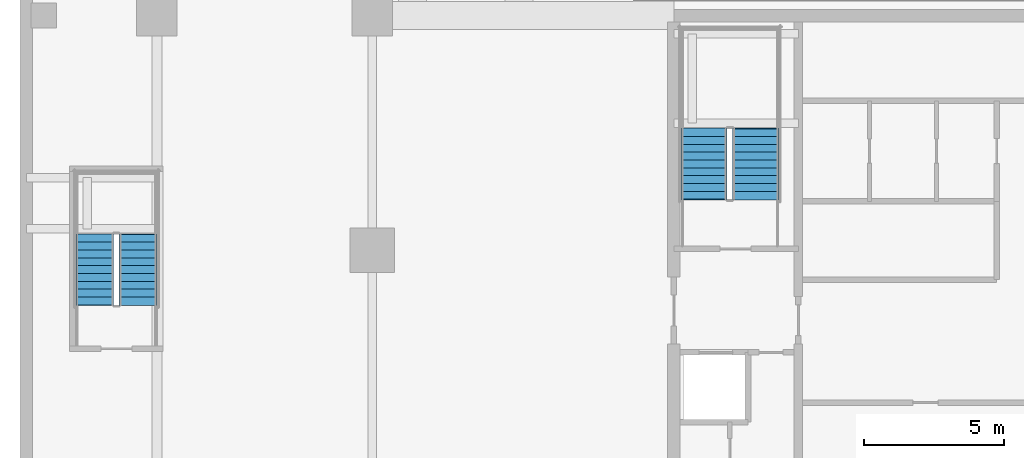
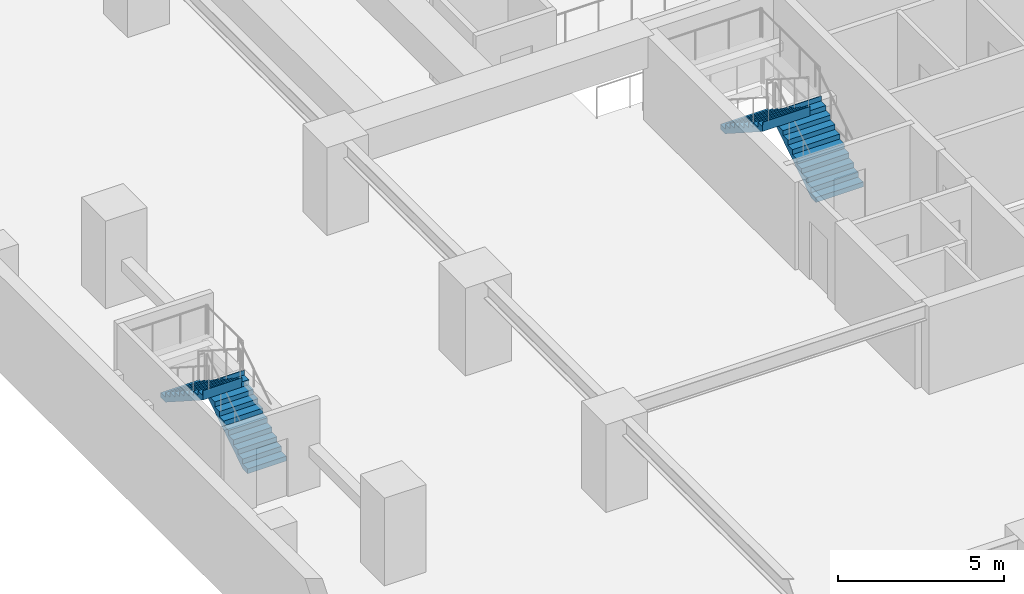
# One storey, part 6 of 10: 4 stair flights, 2 elements without a shape of their own.
"""IFC4 building model written with IfcOpenShell, lengths in metres."""

import ifcopenshell
import ifcopenshell.guid

model = None  # the IFC model being written
_history = None  # IfcOwnerHistory: only IFC2X3 demands one
_inside = {}  # id of a spatial element -> (the spatial element, [elements in it])
_under = {}  # id of a project, library or spatial element -> (it, [spatial elements below it])
_declared = {}  # id of a project -> (the project, [libraries it declares])
_typed = {}  # id of a type object -> (the type object, [elements of that type])
_made_of = {}  # id of a material, layer set ... -> (it, [elements and type objects made of it])


def new_model(schema):
    """Start an empty IFC model of exactly this schema.

    Asked for "IFC4X3", IfcOpenShell would pick the latest addendum, in which some entities
    have other attributes; the version numbers below select the first issue.
    IFC2X3 requires an IfcOwnerHistory on every rooted entity: one is made here for all.
    """
    global model, _history
    if schema == "IFC4X3":
        model = ifcopenshell.file(schema_version=(4, 3, 0, 0))
    else:
        model = ifcopenshell.file(schema=schema)
    _inside.clear()
    _under.clear()
    _declared.clear()
    _typed.clear()
    _made_of.clear()
    _history = None
    if model.schema == "IFC2X3":
        org = make("IfcOrganization", Name="unknown")
        user = make(
            "IfcPersonAndOrganization",
            ThePerson=make("IfcPerson", FamilyName="unknown"),
            TheOrganization=org,
        )
        app = make(
            "IfcApplication",
            ApplicationDeveloper=org,
            Version="unknown",
            ApplicationFullName="unknown",
            ApplicationIdentifier="unknown",
        )
        _history = make(
            "IfcOwnerHistory",
            OwningUser=user,
            OwningApplication=app,
            ChangeAction="ADDED",
            CreationDate=0,
        )
    return model


def make(cls, **values):
    """One entity of the class cls with the attributes given. An attribute that is None is left unset."""
    return model.create_entity(
        cls, **{name: value for name, value in values.items() if value is not None}
    )


def rooted(cls, **values):
    """An entity with a GlobalId (a new one), such as an element, a storey or a relation."""
    return make(cls, GlobalId=ifcopenshell.guid.new(), OwnerHistory=_history, **values)


def si_unit(unit_type, name, prefix=None):
    """IfcSIUnit, for example si_unit("LENGTHUNIT", "METRE", prefix="MILLI")."""
    return make("IfcSIUnit", UnitType=unit_type, Prefix=prefix, Name=name)


def assignment(units):
    """IfcUnitAssignment: the units of a project."""
    return None if units is None else make("IfcUnitAssignment", Units=units)


def point(xyz):
    """IfcCartesianPoint."""
    return None if xyz is None else make("IfcCartesianPoint", Coordinates=xyz)


def direction(xyz):
    """IfcDirection."""
    return None if xyz is None else make("IfcDirection", DirectionRatios=xyz)


def frame(location, z_axis=None, x_axis=None):
    """IfcAxis2Placement3D, a coordinate frame: its origin and axes. An axis left out is left unset."""
    return make(
        "IfcAxis2Placement3D",
        Location=point(location),
        Axis=direction(z_axis),
        RefDirection=direction(x_axis),
    )


def origin():
    """The frame at (0, 0, 0) with its axes left unset."""
    return frame((0.0, 0.0, 0.0))


def place(relative_to, where):
    """IfcLocalPlacement: puts the frame where relative to a parent placement (None: the world)."""
    return make(
        "IfcLocalPlacement", PlacementRelTo=relative_to, RelativePlacement=where
    )


def context(
    kind, dimensions, precision=None, world=None, true_north=None, identifier=None
):
    """IfcGeometricRepresentationContext, for example the 3D "Model" context."""
    return make(
        "IfcGeometricRepresentationContext",
        ContextIdentifier=identifier,
        ContextType=kind,
        CoordinateSpaceDimension=dimensions,
        Precision=precision,
        WorldCoordinateSystem=world,
        TrueNorth=true_north,
    )


def subcontext(parent, identifier, kind, view, scale=None):
    """IfcGeometricRepresentationSubContext, for example "Body" below "Model"."""
    return make(
        "IfcGeometricRepresentationSubContext",
        ContextIdentifier=identifier,
        ContextType=kind,
        ParentContext=parent,
        TargetScale=scale,
        TargetView=view,
    )


def project(units=None, contexts=None):
    """IfcProject with its units and contexts."""
    return rooted(
        "IfcProject",
        Name="project",
        RepresentationContexts=contexts,
        UnitsInContext=assignment(units),
    )


def spatial(cls, under=None, at=None, **own):
    """A site, building, storey or space (cls), placed at a placement, below another one or the project."""
    s = rooted(cls, ObjectPlacement=at, **own)
    if under is not None:
        _under.setdefault(under.id(), (under, []))[1].append(s)
    return s


def point_list(points):
    """IfcCartesianPointList2D or 3D."""
    cls = (
        "IfcCartesianPointList2D" if len(points[0]) == 2 else "IfcCartesianPointList3D"
    )
    return make(cls, CoordList=points)


def polygons(points, faces, closed=None, point_numbers=None):
    """IfcPolygonalFaceSet: a face is its outer loop, then its inner loops; points numbered from 1."""
    made = []
    for loops in faces:
        if len(loops) == 1:
            made.append(make("IfcIndexedPolygonalFace", CoordIndex=loops[0]))
        else:
            made.append(
                make(
                    "IfcIndexedPolygonalFaceWithVoids",
                    CoordIndex=loops[0],
                    InnerCoordIndices=loops[1:],
                )
            )
    return make(
        "IfcPolygonalFaceSet",
        Coordinates=point_list(points),
        Closed=closed,
        Faces=made,
        PnIndex=point_numbers,
    )


def shape(context_of_items, identifier, shape_type, items):
    """IfcShapeRepresentation: the items that make up one representation, for example the "Body"."""
    return make(
        "IfcShapeRepresentation",
        ContextOfItems=context_of_items,
        RepresentationIdentifier=identifier,
        RepresentationType=shape_type,
        Items=items,
    )


def material(Name=None, Category=None):
    """IfcMaterial."""
    return make("IfcMaterial", Name=Name, Category=Category)


def made_of(thing, what):
    """Note that an element or type object is made of a material, layer set ...; save() writes the relation."""
    if what is not None:
        _made_of.setdefault(what.id(), (what, []))[1].append(thing)
    return thing


def type_object(cls, material=None, **own):
    """A type object (cls), such as IfcWallType, which elements share."""
    return made_of(rooted(cls, **own), material)


def element(
    cls,
    number,
    at=None,
    inside=None,
    cuts=None,
    type_object=None,
    material=None,
    context=None,
    identifier="Body",
    shape_type=None,
    held_by="IfcProductDefinitionShape",
    body=None,
    shapes=None,
    **own,
):
    """One element of the class cls, such as IfcWall. Its Tag is "e" and its number.

    at: its placement. inside: the storey or other place that contains it. cuts: it is an
    opening in that element (IfcRelVoidsElement). A single representation is given by context,
    identifier, shape_type and body (its items); several are given by shapes. held_by: the class
    of the entity that holds the representations. save() writes the other relations.
    """
    e = rooted(cls, Tag="e%d" % number, ObjectPlacement=at, **own)
    if body is not None:
        shapes = [shape(context, identifier, shape_type, body)]
    if shapes is not None:
        e.Representation = make(held_by, Representations=shapes)
    if inside is not None:
        _inside.setdefault(inside.id(), (inside, []))[1].append(e)
    if cuts is not None:
        rooted(
            "IfcRelVoidsElement", RelatingBuildingElement=cuts, RelatedOpeningElement=e
        )
    if type_object is not None:
        _typed.setdefault(type_object.id(), (type_object, []))[1].append(e)
    return made_of(e, material)


def aggregate(whole, parts):
    """IfcRelAggregates: a whole, such as a stair, and the parts it consists of."""
    return rooted("IfcRelAggregates", RelatingObject=whole, RelatedObjects=parts)


def save(model, path):
    """Write the relations noted so far, then the file.

    IfcRelAggregates (storeys below a building ...), IfcRelContainedInSpatialStructure (elements
    in a storey), IfcRelDefinesByType, IfcRelAssociatesMaterial and IfcRelDeclares: one each for
    every whole, place, type object, material and project.
    """
    for whole, parts in _under.values():
        aggregate(whole, parts)
    for where, things in _inside.values():
        rooted(
            "IfcRelContainedInSpatialStructure",
            RelatedElements=things,
            RelatingStructure=where,
        )
    for kind, things in _typed.values():
        rooted("IfcRelDefinesByType", RelatedObjects=things, RelatingType=kind)
    for what, things in _made_of.values():
        rooted("IfcRelAssociatesMaterial", RelatedObjects=things, RelatingMaterial=what)
    for by, libraries in _declared.values():
        rooted("IfcRelDeclares", RelatingContext=by, RelatedDefinitions=libraries)
    model.write(path)


model = new_model("IFC4")

# Units and contexts
model_context = context("Model", 3, precision=1e-05, world=origin(), true_north=direction((0.0, 1.0)))
body_context = subcontext(model_context, "Body", "Model", "MODEL_VIEW")
ifc_project = project(units=[si_unit("LENGTHUNIT", "METRE"), si_unit("AREAUNIT", "SQUARE_METRE"), si_unit("VOLUMEUNIT", "CUBIC_METRE"), si_unit("PLANEANGLEUNIT", "RADIAN"), si_unit("MASSUNIT", "GRAM", prefix="KILO")], contexts=[model_context])

# Site, building, storey
site_placement = place(None, origin())
site = spatial("IfcSite", under=ifc_project, at=site_placement, CompositionType="ELEMENT")
building_placement = place(site_placement, origin())
building = spatial("IfcBuilding", under=site, at=building_placement, Name="Serunith Strait Residences", CompositionType="ELEMENT")
storey_placement = place(building_placement, frame((0.0, 0.0, -3.60009765625)))
storey = spatial("IfcBuildingStorey", under=building, at=storey_placement, Name="B01", CompositionType="ELEMENT", Elevation=-3.60009765625)

# Stair, stair flights
ifc_material = material(Name="Concrete C50/60", Category="concrete")
stair_type_1 = type_object("IfcStairType", Name="STR-BSMT-5", PredefinedType="HALF_TURN_STAIR", material=ifc_material)
stair_1_placement = place(storey_placement, origin())
stair_1 = element("IfcStair", 1, at=stair_1_placement, inside=storey, type_object=stair_type_1, Name="B01 Basement Escape Stair ST-5", PredefinedType="HALF_TURN_STAIR")
stair_flight_type_1 = type_object("IfcStairFlightType", Name="FLT-BSMT-5", PredefinedType="STRAIGHT", material=ifc_material)
stair_flight_1_placement = place(storey_placement, frame((4.22509765625, 23.25, 0.0), z_axis=(0.0, 0.0, 1.0), x_axis=(0.0, 1.0, 0.0)))
stair_flight_1 = element("IfcStairFlight", 2, at=stair_flight_1_placement, type_object=stair_flight_type_1, Name="ST-5 flight 1", NumberOfRisers=10, NumberOfTreads=9, PredefinedType="STRAIGHT", RiserHeight=0.18, TreadLength=0.28, context=body_context, shape_type="Tessellation", body=[
    polygons([(-0.02001953125, -0.675048828125, 0.0), (-0.02001953125, -0.675048828125, 0.179931640625), (0.280029296875, -0.675048828125, 0.179931640625), (0.280029296875, -0.675048828125, 0.360107421875), (0.56005859375, -0.675048828125, 0.360107421875), (0.56005859375, -0.675048828125, 0.5400390625), (0.840087890625, -0.675048828125, 0.5400390625), (0.840087890625, -0.675048828125, 0.719970703125), (1.1201171875, -0.675048828125, 0.719970703125), (1.1201171875, -0.675048828125, 0.89990234375), (1.39990234375, -0.675048828125, 0.89990234375), (1.39990234375, -0.675048828125, 1.080078125), (1.679931640625, -0.675048828125, 1.080078125), (1.679931640625, -0.675048828125, 1.260009765625), (1.9599609375, -0.675048828125, 1.260009765625), (1.9599609375, -0.675048828125, 1.43994140625), (2.239990234375, -0.675048828125, 1.43994140625), (2.239990234375, -0.675048828125, 1.6201171875), (2.52001953125, -0.675048828125, 1.6201171875), (2.52001953125, -0.675048828125, 1.800048828125), (2.5400390625, -0.675048828125, 1.800048828125), (2.5400390625, -0.675048828125, 1.739990234375), (2.52001953125, -0.675048828125, 1.44189453125), (0.277099609375, -0.675048828125, 0.0), (-0.02001953125, -0.33740234375, 0.0), (-0.02001953125, -0.33740234375, 0.179931640625), (0.280029296875, -0.33740234375, 0.179931640625), (0.280029296875, -0.33740234375, 0.360107421875), (0.56005859375, -0.33740234375, 0.360107421875), (0.56005859375, -0.33740234375, 0.5400390625), (0.840087890625, -0.33740234375, 0.5400390625), (0.840087890625, -0.33740234375, 0.719970703125), (1.1201171875, -0.33740234375, 0.719970703125), (1.1201171875, -0.33740234375, 0.89990234375), (1.39990234375, -0.33740234375, 0.89990234375), (1.39990234375, -0.33740234375, 1.080078125), (1.679931640625, -0.33740234375, 1.080078125), (1.679931640625, -0.33740234375, 1.260009765625), (1.9599609375, -0.33740234375, 1.260009765625), (1.9599609375, -0.33740234375, 1.43994140625), (2.239990234375, -0.33740234375, 1.43994140625), (2.239990234375, -0.33740234375, 1.6201171875), (2.52001953125, -0.33740234375, 1.6201171875), (2.52001953125, -0.33740234375, 1.800048828125), (2.5400390625, -0.33740234375, 1.800048828125), (2.5400390625, -0.33740234375, 1.739990234375), (2.52001953125, -0.33740234375, 1.44189453125), (0.277099609375, -0.33740234375, 0.0), (-0.02001953125, 0.0, 0.0), (-0.02001953125, 0.0, 0.179931640625), (0.280029296875, 0.0, 0.179931640625), (0.280029296875, 0.0, 0.360107421875), (0.56005859375, 0.0, 0.360107421875), (0.56005859375, 0.0, 0.5400390625), (0.840087890625, 0.0, 0.5400390625), (0.840087890625, 0.0, 0.719970703125), (1.1201171875, 0.0, 0.719970703125), (1.1201171875, 0.0, 0.89990234375), (1.39990234375, 0.0, 0.89990234375), (1.39990234375, 0.0, 1.080078125), (1.679931640625, 0.0, 1.080078125), (1.679931640625, 0.0, 1.260009765625), (1.9599609375, 0.0, 1.260009765625), (1.9599609375, 0.0, 1.43994140625), (2.239990234375, 0.0, 1.43994140625), (2.239990234375, 0.0, 1.6201171875), (2.52001953125, 0.0, 1.6201171875), (2.52001953125, 0.0, 1.800048828125), (2.5400390625, 0.0, 1.800048828125), (2.5400390625, 0.0, 1.739990234375), (2.52001953125, 0.0, 1.44189453125), (0.277099609375, 0.0, 0.0), (-0.02001953125, 0.33740234375, 0.0), (-0.02001953125, 0.33740234375, 0.179931640625), (0.280029296875, 0.33740234375, 0.179931640625), (0.280029296875, 0.33740234375, 0.360107421875), (0.56005859375, 0.33740234375, 0.360107421875), (0.56005859375, 0.33740234375, 0.5400390625), (0.840087890625, 0.33740234375, 0.5400390625), (0.840087890625, 0.33740234375, 0.719970703125), (1.1201171875, 0.33740234375, 0.719970703125), (1.1201171875, 0.33740234375, 0.89990234375), (1.39990234375, 0.33740234375, 0.89990234375), (1.39990234375, 0.33740234375, 1.080078125), (1.679931640625, 0.33740234375, 1.080078125), (1.679931640625, 0.33740234375, 1.260009765625), (1.9599609375, 0.33740234375, 1.260009765625), (1.9599609375, 0.33740234375, 1.43994140625), (2.239990234375, 0.33740234375, 1.43994140625), (2.239990234375, 0.33740234375, 1.6201171875), (2.52001953125, 0.33740234375, 1.6201171875), (2.52001953125, 0.33740234375, 1.800048828125), (2.5400390625, 0.33740234375, 1.800048828125), (2.5400390625, 0.33740234375, 1.739990234375), (2.52001953125, 0.33740234375, 1.44189453125), (0.277099609375, 0.33740234375, 0.0), (-0.02001953125, 0.675048828125, 0.0), (-0.02001953125, 0.675048828125, 0.179931640625), (0.280029296875, 0.675048828125, 0.179931640625), (0.280029296875, 0.675048828125, 0.360107421875), (0.56005859375, 0.675048828125, 0.360107421875), (0.56005859375, 0.675048828125, 0.5400390625), (0.840087890625, 0.675048828125, 0.5400390625), (0.840087890625, 0.675048828125, 0.719970703125), (1.1201171875, 0.675048828125, 0.719970703125), (1.1201171875, 0.675048828125, 0.89990234375), (1.39990234375, 0.675048828125, 0.89990234375), (1.39990234375, 0.675048828125, 1.080078125), (1.679931640625, 0.675048828125, 1.080078125), (1.679931640625, 0.675048828125, 1.260009765625), (1.9599609375, 0.675048828125, 1.260009765625), (1.9599609375, 0.675048828125, 1.43994140625), (2.239990234375, 0.675048828125, 1.43994140625), (2.239990234375, 0.675048828125, 1.6201171875), (2.52001953125, 0.675048828125, 1.6201171875), (2.52001953125, 0.675048828125, 1.800048828125), (2.5400390625, 0.675048828125, 1.800048828125), (2.5400390625, 0.675048828125, 1.739990234375), (2.52001953125, 0.675048828125, 1.44189453125), (0.277099609375, 0.675048828125, 0.0)], [[[1, 2, 26, 25]], [[2, 3, 27, 26]], [[3, 4, 28, 27]], [[4, 5, 29, 28]], [[5, 6, 30, 29]], [[6, 7, 31, 30]], [[7, 8, 32, 31]], [[8, 9, 33, 32]], [[9, 10, 34, 33]], [[10, 11, 35, 34]], [[11, 12, 36, 35]], [[12, 13, 37, 36]], [[13, 14, 38, 37]], [[14, 15, 39, 38]], [[15, 16, 40, 39]], [[16, 17, 41, 40]], [[17, 18, 42, 41]], [[18, 19, 43, 42]], [[19, 20, 44, 43]], [[20, 21, 45, 44]], [[21, 22, 46, 45]], [[22, 23, 47, 46]], [[23, 24, 48, 47]], [[24, 1, 25, 48]], [[25, 26, 50, 49]], [[26, 27, 51, 50]], [[27, 28, 52, 51]], [[28, 29, 53, 52]], [[29, 30, 54, 53]], [[30, 31, 55, 54]], [[31, 32, 56, 55]], [[32, 33, 57, 56]], [[33, 34, 58, 57]], [[34, 35, 59, 58]], [[35, 36, 60, 59]], [[36, 37, 61, 60]], [[37, 38, 62, 61]], [[38, 39, 63, 62]], [[39, 40, 64, 63]], [[40, 41, 65, 64]], [[41, 42, 66, 65]], [[42, 43, 67, 66]], [[43, 44, 68, 67]], [[44, 45, 69, 68]], [[45, 46, 70, 69]], [[46, 47, 71, 70]], [[47, 48, 72, 71]], [[48, 25, 49, 72]], [[49, 50, 74, 73]], [[50, 51, 75, 74]], [[51, 52, 76, 75]], [[52, 53, 77, 76]], [[53, 54, 78, 77]], [[54, 55, 79, 78]], [[55, 56, 80, 79]], [[56, 57, 81, 80]], [[57, 58, 82, 81]], [[58, 59, 83, 82]], [[59, 60, 84, 83]], [[60, 61, 85, 84]], [[61, 62, 86, 85]], [[62, 63, 87, 86]], [[63, 64, 88, 87]], [[64, 65, 89, 88]], [[65, 66, 90, 89]], [[66, 67, 91, 90]], [[67, 68, 92, 91]], [[68, 69, 93, 92]], [[69, 70, 94, 93]], [[70, 71, 95, 94]], [[71, 72, 96, 95]], [[72, 49, 73, 96]], [[73, 74, 98, 97]], [[74, 75, 99, 98]], [[75, 76, 100, 99]], [[76, 77, 101, 100]], [[77, 78, 102, 101]], [[78, 79, 103, 102]], [[79, 80, 104, 103]], [[80, 81, 105, 104]], [[81, 82, 106, 105]], [[82, 83, 107, 106]], [[83, 84, 108, 107]], [[84, 85, 109, 108]], [[85, 86, 110, 109]], [[86, 87, 111, 110]], [[87, 88, 112, 111]], [[88, 89, 113, 112]], [[89, 90, 114, 113]], [[90, 91, 115, 114]], [[91, 92, 116, 115]], [[92, 93, 117, 116]], [[93, 94, 118, 117]], [[94, 95, 119, 118]], [[95, 96, 120, 119]], [[96, 73, 97, 120]], [[24, 23, 22, 21, 20, 19, 18, 17, 16, 15, 14, 13, 12, 11, 10, 9, 8, 7, 6, 5, 4, 3, 2, 1]], [[97, 98, 99, 100, 101, 102, 103, 104, 105, 106, 107, 108, 109, 110, 111, 112, 113, 114, 115, 116, 117, 118, 119, 120]]], closed=True),
])
stair_flight_2_placement = place(storey_placement, frame((2.675048828125, 25.77001953125, 1.800048828125), z_axis=(0.0, 0.0, 1.0), x_axis=(0.0, -1.0, 0.0)))
stair_flight_2 = element("IfcStairFlight", 3, at=stair_flight_2_placement, type_object=stair_flight_type_1, Name="ST-5 flight 2", NumberOfRisers=10, NumberOfTreads=9, PredefinedType="STRAIGHT", RiserHeight=0.18, TreadLength=0.28, context=body_context, shape_type="Tessellation", body=[
    polygons([(-0.02001953125, -0.675048828125, 0.0), (-0.02001953125, -0.675048828125, 0.179931640625), (0.280029296875, -0.675048828125, 0.179931640625), (0.280029296875, -0.675048828125, 0.360107421875), (0.56005859375, -0.675048828125, 0.360107421875), (0.56005859375, -0.675048828125, 0.5400390625), (0.840087890625, -0.675048828125, 0.5400390625), (0.840087890625, -0.675048828125, 0.719970703125), (1.1201171875, -0.675048828125, 0.719970703125), (1.1201171875, -0.675048828125, 0.89990234375), (1.39990234375, -0.675048828125, 0.89990234375), (1.39990234375, -0.675048828125, 1.080078125), (1.679931640625, -0.675048828125, 1.080078125), (1.679931640625, -0.675048828125, 1.260009765625), (1.9599609375, -0.675048828125, 1.260009765625), (1.9599609375, -0.675048828125, 1.43994140625), (2.239990234375, -0.675048828125, 1.43994140625), (2.239990234375, -0.675048828125, 1.6201171875), (2.52001953125, -0.675048828125, 1.6201171875), (2.52001953125, -0.675048828125, 1.800048828125), (2.5400390625, -0.675048828125, 1.800048828125), (2.5400390625, -0.675048828125, 1.739990234375), (2.52001953125, -0.675048828125, 1.44189453125), (0.277099609375, -0.675048828125, 0.0), (-0.02001953125, -0.33740234375, 0.0), (-0.02001953125, -0.33740234375, 0.179931640625), (0.280029296875, -0.33740234375, 0.179931640625), (0.280029296875, -0.33740234375, 0.360107421875), (0.56005859375, -0.33740234375, 0.360107421875), (0.56005859375, -0.33740234375, 0.5400390625), (0.840087890625, -0.33740234375, 0.5400390625), (0.840087890625, -0.33740234375, 0.719970703125), (1.1201171875, -0.33740234375, 0.719970703125), (1.1201171875, -0.33740234375, 0.89990234375), (1.39990234375, -0.33740234375, 0.89990234375), (1.39990234375, -0.33740234375, 1.080078125), (1.679931640625, -0.33740234375, 1.080078125), (1.679931640625, -0.33740234375, 1.260009765625), (1.9599609375, -0.33740234375, 1.260009765625), (1.9599609375, -0.33740234375, 1.43994140625), (2.239990234375, -0.33740234375, 1.43994140625), (2.239990234375, -0.33740234375, 1.6201171875), (2.52001953125, -0.33740234375, 1.6201171875), (2.52001953125, -0.33740234375, 1.800048828125), (2.5400390625, -0.33740234375, 1.800048828125), (2.5400390625, -0.33740234375, 1.739990234375), (2.52001953125, -0.33740234375, 1.44189453125), (0.277099609375, -0.33740234375, 0.0), (-0.02001953125, 0.0, 0.0), (-0.02001953125, 0.0, 0.179931640625), (0.280029296875, 0.0, 0.179931640625), (0.280029296875, 0.0, 0.360107421875), (0.56005859375, 0.0, 0.360107421875), (0.56005859375, 0.0, 0.5400390625), (0.840087890625, 0.0, 0.5400390625), (0.840087890625, 0.0, 0.719970703125), (1.1201171875, 0.0, 0.719970703125), (1.1201171875, 0.0, 0.89990234375), (1.39990234375, 0.0, 0.89990234375), (1.39990234375, 0.0, 1.080078125), (1.679931640625, 0.0, 1.080078125), (1.679931640625, 0.0, 1.260009765625), (1.9599609375, 0.0, 1.260009765625), (1.9599609375, 0.0, 1.43994140625), (2.239990234375, 0.0, 1.43994140625), (2.239990234375, 0.0, 1.6201171875), (2.52001953125, 0.0, 1.6201171875), (2.52001953125, 0.0, 1.800048828125), (2.5400390625, 0.0, 1.800048828125), (2.5400390625, 0.0, 1.739990234375), (2.52001953125, 0.0, 1.44189453125), (0.277099609375, 0.0, 0.0), (-0.02001953125, 0.33740234375, 0.0), (-0.02001953125, 0.33740234375, 0.179931640625), (0.280029296875, 0.33740234375, 0.179931640625), (0.280029296875, 0.33740234375, 0.360107421875), (0.56005859375, 0.33740234375, 0.360107421875), (0.56005859375, 0.33740234375, 0.5400390625), (0.840087890625, 0.33740234375, 0.5400390625), (0.840087890625, 0.33740234375, 0.719970703125), (1.1201171875, 0.33740234375, 0.719970703125), (1.1201171875, 0.33740234375, 0.89990234375), (1.39990234375, 0.33740234375, 0.89990234375), (1.39990234375, 0.33740234375, 1.080078125), (1.679931640625, 0.33740234375, 1.080078125), (1.679931640625, 0.33740234375, 1.260009765625), (1.9599609375, 0.33740234375, 1.260009765625), (1.9599609375, 0.33740234375, 1.43994140625), (2.239990234375, 0.33740234375, 1.43994140625), (2.239990234375, 0.33740234375, 1.6201171875), (2.52001953125, 0.33740234375, 1.6201171875), (2.52001953125, 0.33740234375, 1.800048828125), (2.5400390625, 0.33740234375, 1.800048828125), (2.5400390625, 0.33740234375, 1.739990234375), (2.52001953125, 0.33740234375, 1.44189453125), (0.277099609375, 0.33740234375, 0.0), (-0.02001953125, 0.675048828125, 0.0), (-0.02001953125, 0.675048828125, 0.179931640625), (0.280029296875, 0.675048828125, 0.179931640625), (0.280029296875, 0.675048828125, 0.360107421875), (0.56005859375, 0.675048828125, 0.360107421875), (0.56005859375, 0.675048828125, 0.5400390625), (0.840087890625, 0.675048828125, 0.5400390625), (0.840087890625, 0.675048828125, 0.719970703125), (1.1201171875, 0.675048828125, 0.719970703125), (1.1201171875, 0.675048828125, 0.89990234375), (1.39990234375, 0.675048828125, 0.89990234375), (1.39990234375, 0.675048828125, 1.080078125), (1.679931640625, 0.675048828125, 1.080078125), (1.679931640625, 0.675048828125, 1.260009765625), (1.9599609375, 0.675048828125, 1.260009765625), (1.9599609375, 0.675048828125, 1.43994140625), (2.239990234375, 0.675048828125, 1.43994140625), (2.239990234375, 0.675048828125, 1.6201171875), (2.52001953125, 0.675048828125, 1.6201171875), (2.52001953125, 0.675048828125, 1.800048828125), (2.5400390625, 0.675048828125, 1.800048828125), (2.5400390625, 0.675048828125, 1.739990234375), (2.52001953125, 0.675048828125, 1.44189453125), (0.277099609375, 0.675048828125, 0.0)], [[[1, 2, 26, 25]], [[2, 3, 27, 26]], [[3, 4, 28, 27]], [[4, 5, 29, 28]], [[5, 6, 30, 29]], [[6, 7, 31, 30]], [[7, 8, 32, 31]], [[8, 9, 33, 32]], [[9, 10, 34, 33]], [[10, 11, 35, 34]], [[11, 12, 36, 35]], [[12, 13, 37, 36]], [[13, 14, 38, 37]], [[14, 15, 39, 38]], [[15, 16, 40, 39]], [[16, 17, 41, 40]], [[17, 18, 42, 41]], [[18, 19, 43, 42]], [[19, 20, 44, 43]], [[20, 21, 45, 44]], [[21, 22, 46, 45]], [[22, 23, 47, 46]], [[23, 24, 48, 47]], [[24, 1, 25, 48]], [[25, 26, 50, 49]], [[26, 27, 51, 50]], [[27, 28, 52, 51]], [[28, 29, 53, 52]], [[29, 30, 54, 53]], [[30, 31, 55, 54]], [[31, 32, 56, 55]], [[32, 33, 57, 56]], [[33, 34, 58, 57]], [[34, 35, 59, 58]], [[35, 36, 60, 59]], [[36, 37, 61, 60]], [[37, 38, 62, 61]], [[38, 39, 63, 62]], [[39, 40, 64, 63]], [[40, 41, 65, 64]], [[41, 42, 66, 65]], [[42, 43, 67, 66]], [[43, 44, 68, 67]], [[44, 45, 69, 68]], [[45, 46, 70, 69]], [[46, 47, 71, 70]], [[47, 48, 72, 71]], [[48, 25, 49, 72]], [[49, 50, 74, 73]], [[50, 51, 75, 74]], [[51, 52, 76, 75]], [[52, 53, 77, 76]], [[53, 54, 78, 77]], [[54, 55, 79, 78]], [[55, 56, 80, 79]], [[56, 57, 81, 80]], [[57, 58, 82, 81]], [[58, 59, 83, 82]], [[59, 60, 84, 83]], [[60, 61, 85, 84]], [[61, 62, 86, 85]], [[62, 63, 87, 86]], [[63, 64, 88, 87]], [[64, 65, 89, 88]], [[65, 66, 90, 89]], [[66, 67, 91, 90]], [[67, 68, 92, 91]], [[68, 69, 93, 92]], [[69, 70, 94, 93]], [[70, 71, 95, 94]], [[71, 72, 96, 95]], [[72, 49, 73, 96]], [[73, 74, 98, 97]], [[74, 75, 99, 98]], [[75, 76, 100, 99]], [[76, 77, 101, 100]], [[77, 78, 102, 101]], [[78, 79, 103, 102]], [[79, 80, 104, 103]], [[80, 81, 105, 104]], [[81, 82, 106, 105]], [[82, 83, 107, 106]], [[83, 84, 108, 107]], [[84, 85, 109, 108]], [[85, 86, 110, 109]], [[86, 87, 111, 110]], [[87, 88, 112, 111]], [[88, 89, 113, 112]], [[89, 90, 114, 113]], [[90, 91, 115, 114]], [[91, 92, 116, 115]], [[92, 93, 117, 116]], [[93, 94, 118, 117]], [[94, 95, 119, 118]], [[95, 96, 120, 119]], [[96, 73, 97, 120]], [[24, 23, 22, 21, 20, 19, 18, 17, 16, 15, 14, 13, 12, 11, 10, 9, 8, 7, 6, 5, 4, 3, 2, 1]], [[97, 98, 99, 100, 101, 102, 103, 104, 105, 106, 107, 108, 109, 110, 111, 112, 113, 114, 115, 116, 117, 118, 119, 120]]], closed=True),
])
aggregate(stair_1, [stair_flight_1, stair_flight_2])

stair_type_2 = type_object("IfcStairType", Name="STR-CORE-1", PredefinedType="HALF_TURN_STAIR", material=ifc_material)
stair_2_placement = place(storey_placement, origin())
stair_2 = element("IfcStair", 4, at=stair_2_placement, inside=storey, type_object=stair_type_2, Name="B01 Protected Escape Stair ST-1", PredefinedType="HALF_TURN_STAIR")
stair_flight_type_2 = type_object("IfcStairFlightType", Name="FLT-CORE-1", PredefinedType="STRAIGHT", material=ifc_material)
stair_flight_3_placement = place(storey_placement, frame((26.324951171875, 27.030029296875, 0.0), z_axis=(0.0, 0.0, 1.0), x_axis=(0.0, 1.0, 0.0)))
stair_flight_3 = element("IfcStairFlight", 5, at=stair_flight_3_placement, type_object=stair_flight_type_2, Name="ST-1 flight 1", NumberOfRisers=10, NumberOfTreads=9, PredefinedType="STRAIGHT", RiserHeight=0.18, TreadLength=0.28, context=body_context, shape_type="Tessellation", body=[
    polygons([(-0.02001953125, -0.824951171875, 0.0), (-0.02001953125, -0.824951171875, 0.179931640625), (0.280029296875, -0.824951171875, 0.179931640625), (0.280029296875, -0.824951171875, 0.360107421875), (0.56005859375, -0.824951171875, 0.360107421875), (0.56005859375, -0.824951171875, 0.5400390625), (0.840087890625, -0.824951171875, 0.5400390625), (0.840087890625, -0.824951171875, 0.719970703125), (1.1201171875, -0.824951171875, 0.719970703125), (1.1201171875, -0.824951171875, 0.89990234375), (1.39990234375, -0.824951171875, 0.89990234375), (1.39990234375, -0.824951171875, 1.080078125), (1.679931640625, -0.824951171875, 1.080078125), (1.679931640625, -0.824951171875, 1.260009765625), (1.9599609375, -0.824951171875, 1.260009765625), (1.9599609375, -0.824951171875, 1.43994140625), (2.239990234375, -0.824951171875, 1.43994140625), (2.239990234375, -0.824951171875, 1.6201171875), (2.52001953125, -0.824951171875, 1.6201171875), (2.52001953125, -0.824951171875, 1.800048828125), (2.5400390625, -0.824951171875, 1.800048828125), (2.5400390625, -0.824951171875, 1.739990234375), (2.52001953125, -0.824951171875, 1.44189453125), (0.277099609375, -0.824951171875, 0.0), (-0.02001953125, -0.41259765625, 0.0), (-0.02001953125, -0.41259765625, 0.179931640625), (0.280029296875, -0.41259765625, 0.179931640625), (0.280029296875, -0.41259765625, 0.360107421875), (0.56005859375, -0.41259765625, 0.360107421875), (0.56005859375, -0.41259765625, 0.5400390625), (0.840087890625, -0.41259765625, 0.5400390625), (0.840087890625, -0.41259765625, 0.719970703125), (1.1201171875, -0.41259765625, 0.719970703125), (1.1201171875, -0.41259765625, 0.89990234375), (1.39990234375, -0.41259765625, 0.89990234375), (1.39990234375, -0.41259765625, 1.080078125), (1.679931640625, -0.41259765625, 1.080078125), (1.679931640625, -0.41259765625, 1.260009765625), (1.9599609375, -0.41259765625, 1.260009765625), (1.9599609375, -0.41259765625, 1.43994140625), (2.239990234375, -0.41259765625, 1.43994140625), (2.239990234375, -0.41259765625, 1.6201171875), (2.52001953125, -0.41259765625, 1.6201171875), (2.52001953125, -0.41259765625, 1.800048828125), (2.5400390625, -0.41259765625, 1.800048828125), (2.5400390625, -0.41259765625, 1.739990234375), (2.52001953125, -0.41259765625, 1.44189453125), (0.277099609375, -0.41259765625, 0.0), (-0.02001953125, 0.0, 0.0), (-0.02001953125, 0.0, 0.179931640625), (0.280029296875, 0.0, 0.179931640625), (0.280029296875, 0.0, 0.360107421875), (0.56005859375, 0.0, 0.360107421875), (0.56005859375, 0.0, 0.5400390625), (0.840087890625, 0.0, 0.5400390625), (0.840087890625, 0.0, 0.719970703125), (1.1201171875, 0.0, 0.719970703125), (1.1201171875, 0.0, 0.89990234375), (1.39990234375, 0.0, 0.89990234375), (1.39990234375, 0.0, 1.080078125), (1.679931640625, 0.0, 1.080078125), (1.679931640625, 0.0, 1.260009765625), (1.9599609375, 0.0, 1.260009765625), (1.9599609375, 0.0, 1.43994140625), (2.239990234375, 0.0, 1.43994140625), (2.239990234375, 0.0, 1.6201171875), (2.52001953125, 0.0, 1.6201171875), (2.52001953125, 0.0, 1.800048828125), (2.5400390625, 0.0, 1.800048828125), (2.5400390625, 0.0, 1.739990234375), (2.52001953125, 0.0, 1.44189453125), (0.277099609375, 0.0, 0.0), (-0.02001953125, 0.41259765625, 0.0), (-0.02001953125, 0.41259765625, 0.179931640625), (0.280029296875, 0.41259765625, 0.179931640625), (0.280029296875, 0.41259765625, 0.360107421875), (0.56005859375, 0.41259765625, 0.360107421875), (0.56005859375, 0.41259765625, 0.5400390625), (0.840087890625, 0.41259765625, 0.5400390625), (0.840087890625, 0.41259765625, 0.719970703125), (1.1201171875, 0.41259765625, 0.719970703125), (1.1201171875, 0.41259765625, 0.89990234375), (1.39990234375, 0.41259765625, 0.89990234375), (1.39990234375, 0.41259765625, 1.080078125), (1.679931640625, 0.41259765625, 1.080078125), (1.679931640625, 0.41259765625, 1.260009765625), (1.9599609375, 0.41259765625, 1.260009765625), (1.9599609375, 0.41259765625, 1.43994140625), (2.239990234375, 0.41259765625, 1.43994140625), (2.239990234375, 0.41259765625, 1.6201171875), (2.52001953125, 0.41259765625, 1.6201171875), (2.52001953125, 0.41259765625, 1.800048828125), (2.5400390625, 0.41259765625, 1.800048828125), (2.5400390625, 0.41259765625, 1.739990234375), (2.52001953125, 0.41259765625, 1.44189453125), (0.277099609375, 0.41259765625, 0.0), (-0.02001953125, 0.824951171875, 0.0), (-0.02001953125, 0.824951171875, 0.179931640625), (0.280029296875, 0.824951171875, 0.179931640625), (0.280029296875, 0.824951171875, 0.360107421875), (0.56005859375, 0.824951171875, 0.360107421875), (0.56005859375, 0.824951171875, 0.5400390625), (0.840087890625, 0.824951171875, 0.5400390625), (0.840087890625, 0.824951171875, 0.719970703125), (1.1201171875, 0.824951171875, 0.719970703125), (1.1201171875, 0.824951171875, 0.89990234375), (1.39990234375, 0.824951171875, 0.89990234375), (1.39990234375, 0.824951171875, 1.080078125), (1.679931640625, 0.824951171875, 1.080078125), (1.679931640625, 0.824951171875, 1.260009765625), (1.9599609375, 0.824951171875, 1.260009765625), (1.9599609375, 0.824951171875, 1.43994140625), (2.239990234375, 0.824951171875, 1.43994140625), (2.239990234375, 0.824951171875, 1.6201171875), (2.52001953125, 0.824951171875, 1.6201171875), (2.52001953125, 0.824951171875, 1.800048828125), (2.5400390625, 0.824951171875, 1.800048828125), (2.5400390625, 0.824951171875, 1.739990234375), (2.52001953125, 0.824951171875, 1.44189453125), (0.277099609375, 0.824951171875, 0.0)], [[[1, 2, 26, 25]], [[2, 3, 27, 26]], [[3, 4, 28, 27]], [[4, 5, 29, 28]], [[5, 6, 30, 29]], [[6, 7, 31, 30]], [[7, 8, 32, 31]], [[8, 9, 33, 32]], [[9, 10, 34, 33]], [[10, 11, 35, 34]], [[11, 12, 36, 35]], [[12, 13, 37, 36]], [[13, 14, 38, 37]], [[14, 15, 39, 38]], [[15, 16, 40, 39]], [[16, 17, 41, 40]], [[17, 18, 42, 41]], [[18, 19, 43, 42]], [[19, 20, 44, 43]], [[20, 21, 45, 44]], [[21, 22, 46, 45]], [[22, 23, 47, 46]], [[23, 24, 48, 47]], [[24, 1, 25, 48]], [[25, 26, 50, 49]], [[26, 27, 51, 50]], [[27, 28, 52, 51]], [[28, 29, 53, 52]], [[29, 30, 54, 53]], [[30, 31, 55, 54]], [[31, 32, 56, 55]], [[32, 33, 57, 56]], [[33, 34, 58, 57]], [[34, 35, 59, 58]], [[35, 36, 60, 59]], [[36, 37, 61, 60]], [[37, 38, 62, 61]], [[38, 39, 63, 62]], [[39, 40, 64, 63]], [[40, 41, 65, 64]], [[41, 42, 66, 65]], [[42, 43, 67, 66]], [[43, 44, 68, 67]], [[44, 45, 69, 68]], [[45, 46, 70, 69]], [[46, 47, 71, 70]], [[47, 48, 72, 71]], [[48, 25, 49, 72]], [[49, 50, 74, 73]], [[50, 51, 75, 74]], [[51, 52, 76, 75]], [[52, 53, 77, 76]], [[53, 54, 78, 77]], [[54, 55, 79, 78]], [[55, 56, 80, 79]], [[56, 57, 81, 80]], [[57, 58, 82, 81]], [[58, 59, 83, 82]], [[59, 60, 84, 83]], [[60, 61, 85, 84]], [[61, 62, 86, 85]], [[62, 63, 87, 86]], [[63, 64, 88, 87]], [[64, 65, 89, 88]], [[65, 66, 90, 89]], [[66, 67, 91, 90]], [[67, 68, 92, 91]], [[68, 69, 93, 92]], [[69, 70, 94, 93]], [[70, 71, 95, 94]], [[71, 72, 96, 95]], [[72, 49, 73, 96]], [[73, 74, 98, 97]], [[74, 75, 99, 98]], [[75, 76, 100, 99]], [[76, 77, 101, 100]], [[77, 78, 102, 101]], [[78, 79, 103, 102]], [[79, 80, 104, 103]], [[80, 81, 105, 104]], [[81, 82, 106, 105]], [[82, 83, 107, 106]], [[83, 84, 108, 107]], [[84, 85, 109, 108]], [[85, 86, 110, 109]], [[86, 87, 111, 110]], [[87, 88, 112, 111]], [[88, 89, 113, 112]], [[89, 90, 114, 113]], [[90, 91, 115, 114]], [[91, 92, 116, 115]], [[92, 93, 117, 116]], [[93, 94, 118, 117]], [[94, 95, 119, 118]], [[95, 96, 120, 119]], [[96, 73, 97, 120]], [[24, 23, 22, 21, 20, 19, 18, 17, 16, 15, 14, 13, 12, 11, 10, 9, 8, 7, 6, 5, 4, 3, 2, 1]], [[97, 98, 99, 100, 101, 102, 103, 104, 105, 106, 107, 108, 109, 110, 111, 112, 113, 114, 115, 116, 117, 118, 119, 120]]], closed=True),
])
stair_flight_4_placement = place(storey_placement, frame((24.47509765625, 29.550048828125, 1.800048828125), z_axis=(0.0, 0.0, 1.0), x_axis=(0.0, -1.0, 0.0)))
stair_flight_4 = element("IfcStairFlight", 6, at=stair_flight_4_placement, type_object=stair_flight_type_2, Name="ST-1 flight 2", NumberOfRisers=10, NumberOfTreads=9, PredefinedType="STRAIGHT", RiserHeight=0.18, TreadLength=0.28, context=body_context, shape_type="Tessellation", body=[
    polygons([(-0.02001953125, -0.824951171875, 0.0), (-0.02001953125, -0.824951171875, 0.179931640625), (0.280029296875, -0.824951171875, 0.179931640625), (0.280029296875, -0.824951171875, 0.360107421875), (0.56005859375, -0.824951171875, 0.360107421875), (0.56005859375, -0.824951171875, 0.5400390625), (0.840087890625, -0.824951171875, 0.5400390625), (0.840087890625, -0.824951171875, 0.719970703125), (1.1201171875, -0.824951171875, 0.719970703125), (1.1201171875, -0.824951171875, 0.89990234375), (1.39990234375, -0.824951171875, 0.89990234375), (1.39990234375, -0.824951171875, 1.080078125), (1.679931640625, -0.824951171875, 1.080078125), (1.679931640625, -0.824951171875, 1.260009765625), (1.9599609375, -0.824951171875, 1.260009765625), (1.9599609375, -0.824951171875, 1.43994140625), (2.239990234375, -0.824951171875, 1.43994140625), (2.239990234375, -0.824951171875, 1.6201171875), (2.52001953125, -0.824951171875, 1.6201171875), (2.52001953125, -0.824951171875, 1.800048828125), (2.5400390625, -0.824951171875, 1.800048828125), (2.5400390625, -0.824951171875, 1.739990234375), (2.52001953125, -0.824951171875, 1.44189453125), (0.277099609375, -0.824951171875, 0.0), (-0.02001953125, -0.41259765625, 0.0), (-0.02001953125, -0.41259765625, 0.179931640625), (0.280029296875, -0.41259765625, 0.179931640625), (0.280029296875, -0.41259765625, 0.360107421875), (0.56005859375, -0.41259765625, 0.360107421875), (0.56005859375, -0.41259765625, 0.5400390625), (0.840087890625, -0.41259765625, 0.5400390625), (0.840087890625, -0.41259765625, 0.719970703125), (1.1201171875, -0.41259765625, 0.719970703125), (1.1201171875, -0.41259765625, 0.89990234375), (1.39990234375, -0.41259765625, 0.89990234375), (1.39990234375, -0.41259765625, 1.080078125), (1.679931640625, -0.41259765625, 1.080078125), (1.679931640625, -0.41259765625, 1.260009765625), (1.9599609375, -0.41259765625, 1.260009765625), (1.9599609375, -0.41259765625, 1.43994140625), (2.239990234375, -0.41259765625, 1.43994140625), (2.239990234375, -0.41259765625, 1.6201171875), (2.52001953125, -0.41259765625, 1.6201171875), (2.52001953125, -0.41259765625, 1.800048828125), (2.5400390625, -0.41259765625, 1.800048828125), (2.5400390625, -0.41259765625, 1.739990234375), (2.52001953125, -0.41259765625, 1.44189453125), (0.277099609375, -0.41259765625, 0.0), (-0.02001953125, 0.0, 0.0), (-0.02001953125, 0.0, 0.179931640625), (0.280029296875, 0.0, 0.179931640625), (0.280029296875, 0.0, 0.360107421875), (0.56005859375, 0.0, 0.360107421875), (0.56005859375, 0.0, 0.5400390625), (0.840087890625, 0.0, 0.5400390625), (0.840087890625, 0.0, 0.719970703125), (1.1201171875, 0.0, 0.719970703125), (1.1201171875, 0.0, 0.89990234375), (1.39990234375, 0.0, 0.89990234375), (1.39990234375, 0.0, 1.080078125), (1.679931640625, 0.0, 1.080078125), (1.679931640625, 0.0, 1.260009765625), (1.9599609375, 0.0, 1.260009765625), (1.9599609375, 0.0, 1.43994140625), (2.239990234375, 0.0, 1.43994140625), (2.239990234375, 0.0, 1.6201171875), (2.52001953125, 0.0, 1.6201171875), (2.52001953125, 0.0, 1.800048828125), (2.5400390625, 0.0, 1.800048828125), (2.5400390625, 0.0, 1.739990234375), (2.52001953125, 0.0, 1.44189453125), (0.277099609375, 0.0, 0.0), (-0.02001953125, 0.41259765625, 0.0), (-0.02001953125, 0.41259765625, 0.179931640625), (0.280029296875, 0.41259765625, 0.179931640625), (0.280029296875, 0.41259765625, 0.360107421875), (0.56005859375, 0.41259765625, 0.360107421875), (0.56005859375, 0.41259765625, 0.5400390625), (0.840087890625, 0.41259765625, 0.5400390625), (0.840087890625, 0.41259765625, 0.719970703125), (1.1201171875, 0.41259765625, 0.719970703125), (1.1201171875, 0.41259765625, 0.89990234375), (1.39990234375, 0.41259765625, 0.89990234375), (1.39990234375, 0.41259765625, 1.080078125), (1.679931640625, 0.41259765625, 1.080078125), (1.679931640625, 0.41259765625, 1.260009765625), (1.9599609375, 0.41259765625, 1.260009765625), (1.9599609375, 0.41259765625, 1.43994140625), (2.239990234375, 0.41259765625, 1.43994140625), (2.239990234375, 0.41259765625, 1.6201171875), (2.52001953125, 0.41259765625, 1.6201171875), (2.52001953125, 0.41259765625, 1.800048828125), (2.5400390625, 0.41259765625, 1.800048828125), (2.5400390625, 0.41259765625, 1.739990234375), (2.52001953125, 0.41259765625, 1.44189453125), (0.277099609375, 0.41259765625, 0.0), (-0.02001953125, 0.824951171875, 0.0), (-0.02001953125, 0.824951171875, 0.179931640625), (0.280029296875, 0.824951171875, 0.179931640625), (0.280029296875, 0.824951171875, 0.360107421875), (0.56005859375, 0.824951171875, 0.360107421875), (0.56005859375, 0.824951171875, 0.5400390625), (0.840087890625, 0.824951171875, 0.5400390625), (0.840087890625, 0.824951171875, 0.719970703125), (1.1201171875, 0.824951171875, 0.719970703125), (1.1201171875, 0.824951171875, 0.89990234375), (1.39990234375, 0.824951171875, 0.89990234375), (1.39990234375, 0.824951171875, 1.080078125), (1.679931640625, 0.824951171875, 1.080078125), (1.679931640625, 0.824951171875, 1.260009765625), (1.9599609375, 0.824951171875, 1.260009765625), (1.9599609375, 0.824951171875, 1.43994140625), (2.239990234375, 0.824951171875, 1.43994140625), (2.239990234375, 0.824951171875, 1.6201171875), (2.52001953125, 0.824951171875, 1.6201171875), (2.52001953125, 0.824951171875, 1.800048828125), (2.5400390625, 0.824951171875, 1.800048828125), (2.5400390625, 0.824951171875, 1.739990234375), (2.52001953125, 0.824951171875, 1.44189453125), (0.277099609375, 0.824951171875, 0.0)], [[[1, 2, 26, 25]], [[2, 3, 27, 26]], [[3, 4, 28, 27]], [[4, 5, 29, 28]], [[5, 6, 30, 29]], [[6, 7, 31, 30]], [[7, 8, 32, 31]], [[8, 9, 33, 32]], [[9, 10, 34, 33]], [[10, 11, 35, 34]], [[11, 12, 36, 35]], [[12, 13, 37, 36]], [[13, 14, 38, 37]], [[14, 15, 39, 38]], [[15, 16, 40, 39]], [[16, 17, 41, 40]], [[17, 18, 42, 41]], [[18, 19, 43, 42]], [[19, 20, 44, 43]], [[20, 21, 45, 44]], [[21, 22, 46, 45]], [[22, 23, 47, 46]], [[23, 24, 48, 47]], [[24, 1, 25, 48]], [[25, 26, 50, 49]], [[26, 27, 51, 50]], [[27, 28, 52, 51]], [[28, 29, 53, 52]], [[29, 30, 54, 53]], [[30, 31, 55, 54]], [[31, 32, 56, 55]], [[32, 33, 57, 56]], [[33, 34, 58, 57]], [[34, 35, 59, 58]], [[35, 36, 60, 59]], [[36, 37, 61, 60]], [[37, 38, 62, 61]], [[38, 39, 63, 62]], [[39, 40, 64, 63]], [[40, 41, 65, 64]], [[41, 42, 66, 65]], [[42, 43, 67, 66]], [[43, 44, 68, 67]], [[44, 45, 69, 68]], [[45, 46, 70, 69]], [[46, 47, 71, 70]], [[47, 48, 72, 71]], [[48, 25, 49, 72]], [[49, 50, 74, 73]], [[50, 51, 75, 74]], [[51, 52, 76, 75]], [[52, 53, 77, 76]], [[53, 54, 78, 77]], [[54, 55, 79, 78]], [[55, 56, 80, 79]], [[56, 57, 81, 80]], [[57, 58, 82, 81]], [[58, 59, 83, 82]], [[59, 60, 84, 83]], [[60, 61, 85, 84]], [[61, 62, 86, 85]], [[62, 63, 87, 86]], [[63, 64, 88, 87]], [[64, 65, 89, 88]], [[65, 66, 90, 89]], [[66, 67, 91, 90]], [[67, 68, 92, 91]], [[68, 69, 93, 92]], [[69, 70, 94, 93]], [[70, 71, 95, 94]], [[71, 72, 96, 95]], [[72, 49, 73, 96]], [[73, 74, 98, 97]], [[74, 75, 99, 98]], [[75, 76, 100, 99]], [[76, 77, 101, 100]], [[77, 78, 102, 101]], [[78, 79, 103, 102]], [[79, 80, 104, 103]], [[80, 81, 105, 104]], [[81, 82, 106, 105]], [[82, 83, 107, 106]], [[83, 84, 108, 107]], [[84, 85, 109, 108]], [[85, 86, 110, 109]], [[86, 87, 111, 110]], [[87, 88, 112, 111]], [[88, 89, 113, 112]], [[89, 90, 114, 113]], [[90, 91, 115, 114]], [[91, 92, 116, 115]], [[92, 93, 117, 116]], [[93, 94, 118, 117]], [[94, 95, 119, 118]], [[95, 96, 120, 119]], [[96, 73, 97, 120]], [[24, 23, 22, 21, 20, 19, 18, 17, 16, 15, 14, 13, 12, 11, 10, 9, 8, 7, 6, 5, 4, 3, 2, 1]], [[97, 98, 99, 100, 101, 102, 103, 104, 105, 106, 107, 108, 109, 110, 111, 112, 113, 114, 115, 116, 117, 118, 119, 120]]], closed=True),
])
aggregate(stair_2, [stair_flight_3, stair_flight_4])

save(model, "model.ifc")
